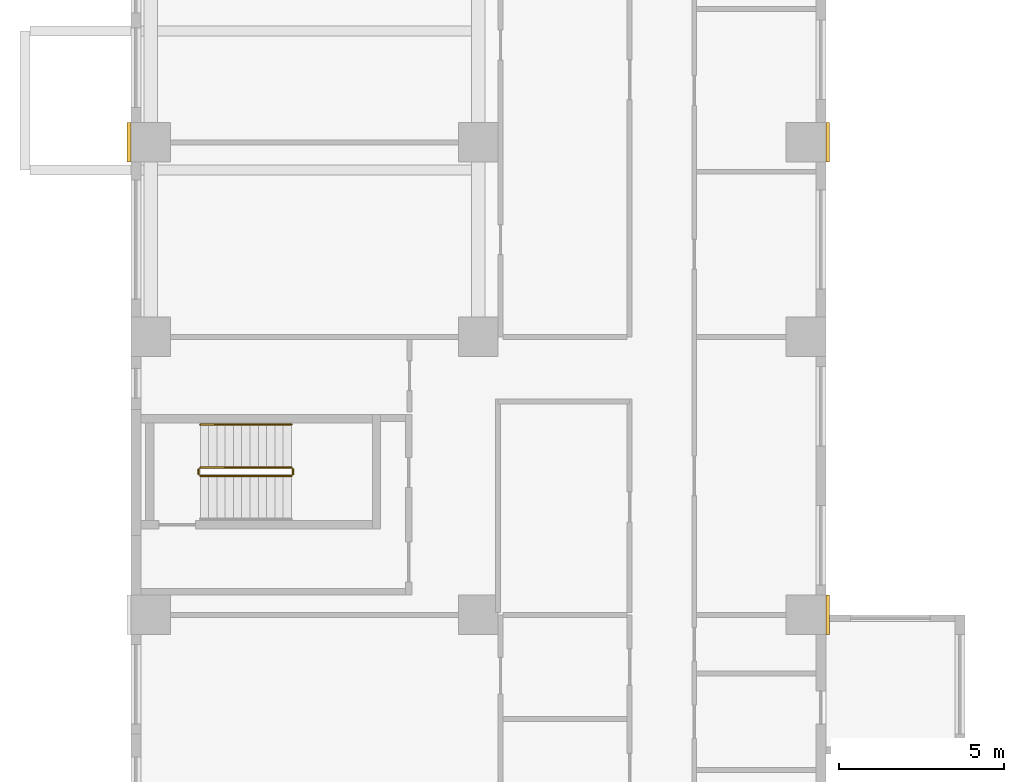
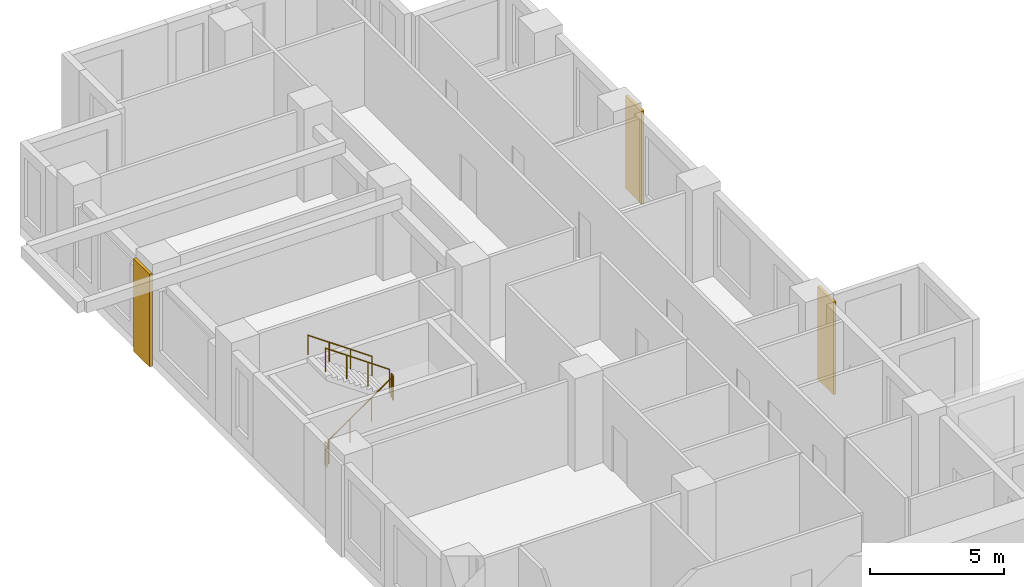
# One storey, part 14 of 15: 5 railings, 3 coverings.
"""IFC4 building model written with IfcOpenShell, lengths in metres."""

from ifc_helpers import new_model, si_unit, direction, frame, origin, origin_2d, place, context, subcontext, project, spatial, rectangle, circle, extrude, source, transform, mapped, material, type_object, element, save


model = new_model("IFC4")

# Units and contexts
model_context = context("Model", 3, precision=1e-05, world=origin(), true_north=direction((0.0, 1.0)))
body_context = subcontext(model_context, "Body", "Model", "MODEL_VIEW")
ifc_project = project(units=[si_unit("LENGTHUNIT", "METRE"), si_unit("AREAUNIT", "SQUARE_METRE"), si_unit("VOLUMEUNIT", "CUBIC_METRE"), si_unit("PLANEANGLEUNIT", "RADIAN"), si_unit("MASSUNIT", "GRAM", prefix="KILO")], contexts=[model_context])

# Site, building, storey
site_placement = place(None, origin())
site = spatial("IfcSite", under=ifc_project, at=site_placement, CompositionType="ELEMENT")
building_placement = place(site_placement, origin())
building = spatial("IfcBuilding", under=site, at=building_placement, Name="Aurelian Terraces", CompositionType="ELEMENT")
storey_placement = place(building_placement, frame((0.0, 0.0, 65.7)))
storey = spatial("IfcBuildingStorey", under=building, at=storey_placement, Name="L13", CompositionType="ELEMENT", Elevation=65.7)

# Coverings
ifc_material_1 = material(Name="Terracotta rainscreen cladding relief", Category="masonry")
covering_type = type_object("IfcCoveringType", Name="BAGUETTE-TC", PredefinedType="CLADDING", material=ifc_material_1)
shared_shape_1 = source(origin(), body_context, "Body", "SweptSolid", [
    extrude(rectangle(XDim=0.12, YDim=1.2, at=origin_2d()), origin(), (0.0, 0.0, 1.0), 4.2),
])
for number, where, z_axis, x_axis, name in (
    (1, (21.06, 37.8, -0.4), (0.0, 0.0, 1.0), (1.0, 0.0, 0.0), "BAGUETTE pier L13 11"),
    (2, (-0.06, 52.08, -0.4), (0.0, 0.0, 1.0), (1.0, 0.0, 0.0), "BAGUETTE pier L13 12"),
    (3, (21.06, 52.08, -0.4), (0.0, 0.0, 1.0), (1.0, 0.0, 0.0), "BAGUETTE pier L13 13"),
):
    element("IfcCovering", number, at=place(storey_placement, frame(where, z_axis=z_axis, x_axis=x_axis)), inside=storey, type_object=covering_type, Name=name, PredefinedType="CLADDING", context=body_context, shape_type="MappedRepresentation", body=[
        mapped(shared_shape_1, transform((0.0, 0.0, 0.0), scale=1.0)),
    ])

# Railings
ifc_material_2 = material(Name="Stainless steel", Category="steel")
railing_type_1 = type_object("IfcRailingType", Name="Stair guard 1100", PredefinedType="GUARDRAIL", material=ifc_material_2)
shared_shape_2 = source(origin(), body_context, "Body", "SweptSolid", [
    extrude(circle(Radius=0.024, at=origin_2d()), frame((0.0, 0.0, 1.076), z_axis=(0.0, 1.0, 0.0), x_axis=(-1.0, 0.0, 0.0)), (0.0, 0.0, 1.0), 0.15),
    extrude(circle(Radius=0.021, at=origin_2d()), origin(), (0.0, 0.0, 1.0), 1.052),
    extrude(circle(Radius=0.021, at=origin_2d()), frame((0.0, 0.15, 0.0)), (0.0, 0.0, 1.0), 1.052),
])
for number, where, name in (
    (4, (4.9, 42.05, 2.1), "L13 S3 stair guard 2"),
    (5, (2.05, 42.05, 0.0), "L13 S3 stair guard 4"),
):
    element("IfcRailing", number, at=place(storey_placement, frame(where)), inside=storey, type_object=railing_type_1, Name=name, PredefinedType="GUARDRAIL", context=body_context, shape_type="MappedRepresentation", body=[
        mapped(shared_shape_2, transform((0.0, 0.0, 0.0), scale=1.0)),
    ])
shared_shape_3 = source(origin(), body_context, "Body", "SweptSolid", [
    extrude(circle(Radius=0.024, at=origin_2d()), frame((0.0, 0.0, 1.076), z_axis=(0.819231920519, 0.0, 0.573462344363), x_axis=(0.0, 1.0, 0.0)), (0.0, 0.0, 1.0), 3.3568),
    extrude(circle(Radius=0.021, at=origin_2d()), origin(), (0.0, 0.0, 1.0), 1.052),
    extrude(circle(Radius=0.021, at=origin_2d()), frame((0.9167, 0.0, 0.6417)), (0.0, 0.0, 1.0), 1.052),
    extrude(circle(Radius=0.021, at=origin_2d()), frame((1.8333, 0.0, 1.2833)), (0.0, 0.0, 1.0), 1.052),
    extrude(circle(Radius=0.021, at=origin_2d()), frame((2.75, 0.0, 1.925)), (0.0, 0.0, 1.0), 1.052),
])
railing_1_placement = place(storey_placement, frame((2.1, 42.0, 0.175)))
element("IfcRailing", 6, at=railing_1_placement, inside=storey, type_object=railing_type_1, Name="L13 S3 stair guard 1", PredefinedType="GUARDRAIL", context=body_context, shape_type="MappedRepresentation", body=[
    mapped(shared_shape_3, transform((0.0, 0.0, 0.0), scale=1.0)),
])
shared_shape_4 = source(origin(), body_context, "Body", "SweptSolid", [
    extrude(circle(Radius=0.024, at=origin_2d()), frame((0.0, 0.0, 1.076), z_axis=(-0.819231920519, 0.0, 0.573462344363), x_axis=(0.0, -1.0, 0.0)), (0.0, 0.0, 1.0), 3.3568),
    extrude(circle(Radius=0.021, at=origin_2d()), origin(), (0.0, 0.0, 1.0), 1.052),
    extrude(circle(Radius=0.021, at=origin_2d()), frame((-0.9167, 0.0, 0.6417)), (0.0, 0.0, 1.0), 1.052),
    extrude(circle(Radius=0.021, at=origin_2d()), frame((-1.8333, 0.0, 1.2833)), (0.0, 0.0, 1.0), 1.052),
    extrude(circle(Radius=0.021, at=origin_2d()), frame((-2.75, 0.0, 1.925)), (0.0, 0.0, 1.0), 1.052),
])
railing_2_placement = place(storey_placement, frame((4.85, 42.25, 2.275)))
element("IfcRailing", 7, at=railing_2_placement, inside=storey, type_object=railing_type_1, Name="L13 S3 stair guard 3", PredefinedType="GUARDRAIL", context=body_context, shape_type="MappedRepresentation", body=[
    mapped(shared_shape_4, transform((0.0, 0.0, 0.0), scale=1.0)),
])
railing_type_2 = type_object("IfcRailingType", Name="Stair handrail", PredefinedType="HANDRAIL", material=ifc_material_2)
shared_shape_5 = source(origin(), body_context, "Body", "SweptSolid", [
    extrude(circle(Radius=0.024, at=origin_2d()), frame((0.0, 0.0, 0.876), z_axis=(-0.819231920519, 0.0, 0.573462344363), x_axis=(0.0, -1.0, 0.0)), (0.0, 0.0, 1.0), 3.3568),
    extrude(circle(Radius=0.021, at=origin_2d()), origin(), (0.0, 0.0, 1.0), 0.852),
    extrude(circle(Radius=0.021, at=origin_2d()), frame((-0.9167, 0.0, 0.6417)), (0.0, 0.0, 1.0), 0.852),
    extrude(circle(Radius=0.021, at=origin_2d()), frame((-1.8333, 0.0, 1.2833)), (0.0, 0.0, 1.0), 0.852),
    extrude(circle(Radius=0.021, at=origin_2d()), frame((-2.75, 0.0, 1.925)), (0.0, 0.0, 1.0), 0.852),
])
railing_3_placement = place(storey_placement, frame((4.85, 43.55, 2.275)))
element("IfcRailing", 8, at=railing_3_placement, inside=storey, type_object=railing_type_2, Name="L13 S3 stair handrail 2", PredefinedType="HANDRAIL", context=body_context, shape_type="MappedRepresentation", body=[
    mapped(shared_shape_5, transform((0.0, 0.0, 0.0), scale=1.0)),
])

save(model, "model.ifc")
